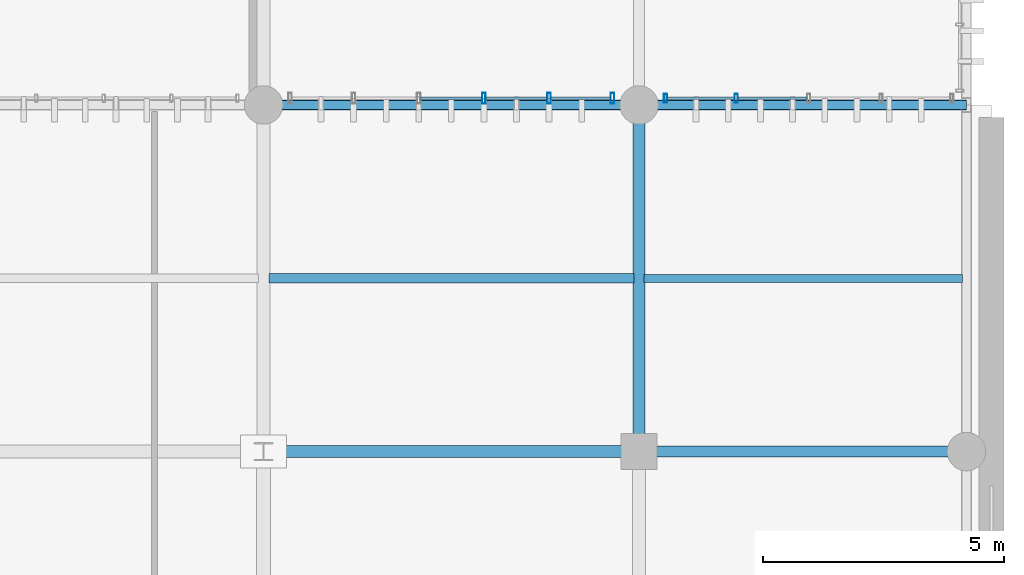
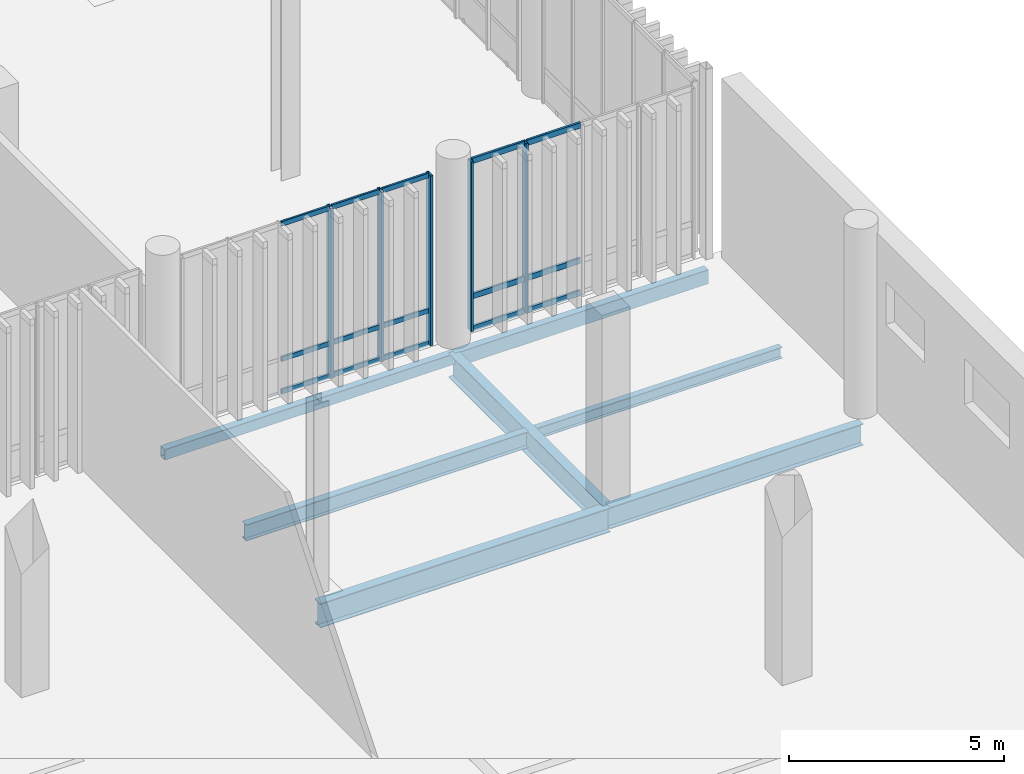
# One storey, part 59 of 112: 20 members, 7 beams, 2 elements without a shape of their own.
"""IFC4 building model written with IfcOpenShell, lengths in metres."""

from ifc_helpers import new_model, si_unit, direction, frame, origin_with_axes, origin_2d_with_axis, place, context, subcontext, project, spatial, hollow_rectangle, i_section, extrude, material, material_profile, profile_set, type_object, element, aggregate, save


model = new_model("IFC4")

# Units and contexts
model_context = context("Model", 3, precision=1e-05, world=origin_with_axes(), true_north=direction((0.0, 1.0)))
body_context = subcontext(model_context, "Body", "Model", "MODEL_VIEW")
ifc_project = project(units=[si_unit("LENGTHUNIT", "METRE"), si_unit("AREAUNIT", "SQUARE_METRE"), si_unit("VOLUMEUNIT", "CUBIC_METRE"), si_unit("PLANEANGLEUNIT", "RADIAN"), si_unit("MASSUNIT", "GRAM", prefix="KILO"), si_unit("THERMODYNAMICTEMPERATUREUNIT", "KELVIN")], contexts=[model_context])

# Site, building, storey
site_placement = place(None, origin_with_axes())
site = spatial("IfcSite", under=ifc_project, at=site_placement, CompositionType="ELEMENT")
building_placement = place(site_placement, origin_with_axes())
building = spatial("IfcBuilding", under=site, at=building_placement, Name="Montbau Bow Law Courts", CompositionType="ELEMENT")
storey_placement = place(building_placement, origin_with_axes())
storey = spatial("IfcBuildingStorey", under=building, at=storey_placement, Name="L00", CompositionType="ELEMENT", Elevation=0.0)

# Beams
ifc_material_1 = material(Name="Steel CSA G40.21 Grade 350W (350 MPa)", Category="steel")
ifc_material_profile_1 = material_profile(ifc_material_1, i_section(OverallWidth=0.254, OverallDepth=0.688, WebThickness=0.0131, FlangeThickness=0.0211, at=origin_2d_with_axis()), Name="W690X152", Category="Main", Priority=0)
ifc_profile_set_1 = profile_set([ifc_material_profile_1], Name="Steel CSA G40.21 Grade 350W (350 MPa)")
beam_type_1 = type_object("IfcBeamType", Name="B-FLR-04", PredefinedType="BEAM", material=ifc_profile_set_1)
beam_1_placement = place(None, frame((154.8, 54.6, -0.684), z_axis=(1.0, 0.0, 0.0), x_axis=(0.0, 1.0, 0.0)))
element("IfcBeam", 1, at=beam_1_placement, inside=storey, type_object=beam_type_1, Name="BM-L00-S0358:bm2_0361", PredefinedType="BEAM", context=body_context, shape_type="SweptSolid", body=[
    extrude(i_section(OverallWidth=0.254, OverallDepth=0.688, WebThickness=0.0131, FlangeThickness=0.0211, at=origin_2d_with_axis()), origin_with_axes(), (0.0, 0.0, 1.0), 7.8),
])
beam_2_placement = place(None, frame((162.6, 54.6, -0.684), z_axis=(0.0, 1.0, 0.0), x_axis=(-1.0, 0.0, 0.0)))
element("IfcBeam", 2, at=beam_2_placement, inside=storey, type_object=beam_type_1, Name="BM-L00-S0395:bm2_0398", PredefinedType="BEAM", context=body_context, shape_type="SweptSolid", body=[
    extrude(i_section(OverallWidth=0.254, OverallDepth=0.688, WebThickness=0.0131, FlangeThickness=0.0211, at=origin_2d_with_axis()), origin_with_axes(), (0.0, 0.0, 1.0), 7.2),
])
ifc_material_profile_2 = material_profile(ifc_material_1, i_section(OverallWidth=0.229, OverallDepth=0.612, WebThickness=0.0119, FlangeThickness=0.0196, at=origin_2d_with_axis()), Name="W610X125", Category="Main", Priority=0)
ifc_profile_set_2 = profile_set([ifc_material_profile_2], Name="Steel CSA G40.21 Grade 350W (350 MPa)")
beam_type_2 = type_object("IfcBeamType", Name="B-FLR-05", PredefinedType="BEAM", material=ifc_profile_set_2)
beam_3_placement = place(None, frame((162.6, 54.6, -0.646), z_axis=(1.0, 0.0, 0.0), x_axis=(0.0, 1.0, 0.0)))
element("IfcBeam", 3, at=beam_3_placement, inside=storey, type_object=beam_type_2, Name="BM-L00-S0359:bm2_0362", PredefinedType="BEAM", context=body_context, shape_type="SweptSolid", body=[
    extrude(i_section(OverallWidth=0.229, OverallDepth=0.612, WebThickness=0.0119, FlangeThickness=0.0196, at=origin_2d_with_axis()), origin_with_axes(), (0.0, 0.0, 1.0), 6.8),
])
ifc_material_profile_3 = material_profile(ifc_material_1, i_section(OverallWidth=0.191, OverallDepth=0.46, WebThickness=0.0099, FlangeThickness=0.016, at=origin_2d_with_axis()), Name="W460X82", Category="Main", Priority=0)
ifc_profile_set_3 = profile_set([ifc_material_profile_3], Name="Steel CSA G40.21 Grade 350W (350 MPa)")
beam_type_3 = type_object("IfcBeamType", Name="B-JST-01", PredefinedType="JOIST", material=ifc_profile_set_3)
beam_4_placement = place(None, frame((154.91, 58.2, -0.57), z_axis=(1.0, 0.0, 0.0), x_axis=(0.0, 1.0, 0.0)))
element("IfcBeam", 4, at=beam_4_placement, inside=storey, type_object=beam_type_3, Name="JST-L00-S0168:jst2_0168", PredefinedType="JOIST", context=body_context, shape_type="SweptSolid", body=[
    extrude(i_section(OverallWidth=0.191, OverallDepth=0.46, WebThickness=0.0099, FlangeThickness=0.016, at=origin_2d_with_axis()), origin_with_axes(), (0.0, 0.0, 1.0), 7.587),
])
ifc_material_profile_4 = material_profile(ifc_material_1, i_section(OverallWidth=0.166, OverallDepth=0.313, WebThickness=0.0066, FlangeThickness=0.0112, at=origin_2d_with_axis()), Name="W310X45", Category="Main", Priority=0)
ifc_profile_set_4 = profile_set([ifc_material_profile_4], Name="Steel CSA G40.21 Grade 350W (350 MPa)")
beam_type_4 = type_object("IfcBeamType", Name="B-JST-04", PredefinedType="JOIST", material=ifc_profile_set_4)
beam_5_placement = place(None, frame((162.703, 58.2, -0.497), z_axis=(1.0, 0.0, 0.0), x_axis=(0.0, 1.0, 0.0)))
element("IfcBeam", 5, at=beam_5_placement, inside=storey, type_object=beam_type_4, Name="JST-L00-S0179:jst2_0179", PredefinedType="JOIST", context=body_context, shape_type="SweptSolid", body=[
    extrude(i_section(OverallWidth=0.166, OverallDepth=0.313, WebThickness=0.0066, FlangeThickness=0.0112, at=origin_2d_with_axis()), origin_with_axes(), (0.0, 0.0, 1.0), 6.617),
])
ifc_material_2 = material(Name="Steel CSA G40.21 Grade 350WT (350 MPa)", Category="steel")
ifc_material_profile_5 = material_profile(ifc_material_2, hollow_rectangle(XDim=0.203, YDim=0.406, WallThickness=0.0127, InnerFilletRadius=0.0254, OuterFilletRadius=0.0127, at=origin_2d_with_axis()), Name="HSS406X203X13", Category="Main", Priority=0)
ifc_profile_set_5 = profile_set([ifc_material_profile_5], Name="Steel CSA G40.21 Grade 350WT (350 MPa)")
beam_type_5 = type_object("IfcBeamType", Name="B-SPN-01", PredefinedType="SPANDREL", material=ifc_profile_set_5)
beam_6_placement = place(None, frame((162.6, 61.8, -0.543), z_axis=(1.0, 0.0, 0.0), x_axis=(0.0, 1.0, 0.0)))
element("IfcBeam", 6, at=beam_6_placement, inside=storey, type_object=beam_type_5, Name="SPN-L00-S0365:bm2_0368", PredefinedType="SPANDREL", context=body_context, shape_type="SweptSolid", body=[
    extrude(hollow_rectangle(XDim=0.203, YDim=0.406, WallThickness=0.0127, InnerFilletRadius=0.0254, OuterFilletRadius=0.0127, at=origin_2d_with_axis()), origin_with_axes(), (0.0, 0.0, 1.0), 6.8),
])
ifc_material_profile_6 = material_profile(ifc_material_2, hollow_rectangle(XDim=0.203, YDim=0.305, WallThickness=0.0127, InnerFilletRadius=0.0254, OuterFilletRadius=0.0127, at=origin_2d_with_axis()), Name="HSS305X203X13", Category="Main", Priority=0)
ifc_profile_set_6 = profile_set([ifc_material_profile_6], Name="Steel CSA G40.21 Grade 350WT (350 MPa)")
beam_type_6 = type_object("IfcBeamType", Name="B-SPN-02", PredefinedType="SPANDREL", material=ifc_profile_set_6)
beam_7_placement = place(None, frame((154.8, 61.8, -0.493), z_axis=(1.0, 0.0, 0.0), x_axis=(0.0, 1.0, 0.0)))
element("IfcBeam", 7, at=beam_7_placement, inside=storey, type_object=beam_type_6, Name="SPN-L00-S0364:bm2_0367", PredefinedType="SPANDREL", context=body_context, shape_type="SweptSolid", body=[
    extrude(hollow_rectangle(XDim=0.203, YDim=0.305, WallThickness=0.0127, InnerFilletRadius=0.0254, OuterFilletRadius=0.0127, at=origin_2d_with_axis()), origin_with_axes(), (0.0, 0.0, 1.0), 7.8),
])

# Curtain wall, members
ifc_material_3 = material(Name="Thermally Broken Extruded Aluminium AA 6063-T6", Category="aluminium")
curtain_wall_type = type_object("IfcCurtainWallType", Name="CW-SLT-01", PredefinedType="NOTDEFINED", material=ifc_material_3)
curtain_wall_1_placement = place(None, frame((155.315, 61.94, 0.0), z_axis=(0.0, 0.0, 1.0), x_axis=(1.0, 0.0, 0.0)))
curtain_wall_1 = element("IfcCurtainWall", 8, at=curtain_wall_1_placement, inside=storey, type_object=curtain_wall_type, Name="CW-L00-261:cw_0261", PredefinedType="NOTDEFINED")
ifc_material_profile_7 = material_profile(ifc_material_3, hollow_rectangle(XDim=0.075, YDim=0.22, WallThickness=0.005, InnerFilletRadius=0.01, OuterFilletRadius=0.005, at=origin_2d_with_axis()), Name="CWM-220X75", Category="Main", Priority=0)
ifc_profile_set_7 = profile_set([ifc_material_profile_7], Name="Thermally Broken Extruded Aluminium AA 6063-T6")
member_type_1 = type_object("IfcMemberType", Name="M-MUL-01", PredefinedType="MULLION", material=ifc_profile_set_7)
member_1_placement = place(None, frame((159.377, 61.94, 0.0), z_axis=(0.0, 0.0, 1.0), x_axis=(1.0, 0.0, 0.0)))
member_1 = element("IfcMember", 9, at=member_1_placement, type_object=member_type_1, Name="CW-L00-261-M04:cw_0261_M04", PredefinedType="MULLION", context=body_context, shape_type="SweptSolid", body=[
    extrude(hollow_rectangle(XDim=0.075, YDim=0.22, WallThickness=0.005, InnerFilletRadius=0.01, OuterFilletRadius=0.005, at=origin_2d_with_axis()), origin_with_axes(), (0.0, 0.0, 1.0), 4.82),
])
member_2_placement = place(None, frame((160.731, 61.94, 0.0), z_axis=(0.0, 0.0, 1.0), x_axis=(1.0, 0.0, 0.0)))
member_2 = element("IfcMember", 10, at=member_2_placement, type_object=member_type_1, Name="CW-L00-261-M05:cw_0261_M05", PredefinedType="MULLION", context=body_context, shape_type="SweptSolid", body=[
    extrude(hollow_rectangle(XDim=0.075, YDim=0.22, WallThickness=0.005, InnerFilletRadius=0.01, OuterFilletRadius=0.005, at=origin_2d_with_axis()), origin_with_axes(), (0.0, 0.0, 1.0), 4.82),
])
member_3_placement = place(None, frame((162.048, 61.94, 0.0), z_axis=(0.0, 0.0, 1.0), x_axis=(1.0, 0.0, 0.0)))
member_3 = element("IfcMember", 11, at=member_3_placement, type_object=member_type_1, Name="CW-L00-261-M06:cw_0261_M06", PredefinedType="MULLION", context=body_context, shape_type="SweptSolid", body=[
    extrude(hollow_rectangle(XDim=0.075, YDim=0.22, WallThickness=0.005, InnerFilletRadius=0.01, OuterFilletRadius=0.005, at=origin_2d_with_axis()), origin_with_axes(), (0.0, 0.0, 1.0), 4.82),
])

curtain_wall_2_placement = place(None, frame((163.115, 61.94, 0.0), z_axis=(0.0, 0.0, 1.0), x_axis=(1.0, 0.0, 0.0)))
curtain_wall_2 = element("IfcCurtainWall", 12, at=curtain_wall_2_placement, inside=storey, type_object=curtain_wall_type, Name="CW-L00-262:cw_0262", PredefinedType="NOTDEFINED")
ifc_material_profile_8 = material_profile(ifc_material_3, hollow_rectangle(XDim=0.065, YDim=0.18, WallThickness=0.005, InnerFilletRadius=0.01, OuterFilletRadius=0.005, at=origin_2d_with_axis()), Name="CWM-180X65", Category="Main", Priority=0)
ifc_profile_set_8 = profile_set([ifc_material_profile_8], Name="Thermally Broken Extruded Aluminium AA 6063-T6")
member_type_2 = type_object("IfcMemberType", Name="M-MUL-02", PredefinedType="MULLION", material=ifc_profile_set_8)
member_4_placement = place(None, frame((163.148, 61.94, 0.0), z_axis=(0.0, 0.0, 1.0), x_axis=(1.0, 0.0, 0.0)))
member_4 = element("IfcMember", 13, at=member_4_placement, type_object=member_type_2, Name="CW-L00-262-M01:cw_0262_M01", PredefinedType="MULLION", context=body_context, shape_type="SweptSolid", body=[
    extrude(hollow_rectangle(XDim=0.065, YDim=0.18, WallThickness=0.005, InnerFilletRadius=0.01, OuterFilletRadius=0.005, at=origin_2d_with_axis()), origin_with_axes(), (0.0, 0.0, 1.0), 4.82),
])
member_5_placement = place(None, frame((164.619, 61.94, 0.0), z_axis=(0.0, 0.0, 1.0), x_axis=(1.0, 0.0, 0.0)))
member_5 = element("IfcMember", 14, at=member_5_placement, type_object=member_type_2, Name="CW-L00-262-M02:cw_0262_M02", PredefinedType="MULLION", context=body_context, shape_type="SweptSolid", body=[
    extrude(hollow_rectangle(XDim=0.065, YDim=0.18, WallThickness=0.005, InnerFilletRadius=0.01, OuterFilletRadius=0.005, at=origin_2d_with_axis()), origin_with_axes(), (0.0, 0.0, 1.0), 4.82),
])
ifc_material_profile_9 = material_profile(ifc_material_3, hollow_rectangle(XDim=0.06, YDim=0.16, WallThickness=0.004, InnerFilletRadius=0.008, OuterFilletRadius=0.004, at=origin_2d_with_axis()), Name="CWT-160X60", Category="Main", Priority=0)
ifc_profile_set_9 = profile_set([ifc_material_profile_9], Name="Thermally Broken Extruded Aluminium AA 6063-T6")
member_type_3 = type_object("IfcMemberType", Name="M-TRN-01", PredefinedType="USERDEFINED", material=ifc_profile_set_9)
member_6_placement = place(None, frame((163.183, 61.94, 0.03), z_axis=(1.0, 0.0, 0.0), x_axis=(0.0, 1.0, 0.0)))
member_6 = element("IfcMember", 15, at=member_6_placement, type_object=member_type_3, Name="CW-L00-262-T01-1:cw_0262_T01_1", ObjectType="TRANSOM", PredefinedType="USERDEFINED", context=body_context, shape_type="SweptSolid", body=[
    extrude(hollow_rectangle(XDim=0.06, YDim=0.16, WallThickness=0.004, InnerFilletRadius=0.008, OuterFilletRadius=0.004, at=origin_2d_with_axis()), origin_with_axes(), (0.0, 0.0, 1.0), 1.402),
])
member_7_placement = place(None, frame((163.183, 61.94, 0.95), z_axis=(1.0, 0.0, 0.0), x_axis=(0.0, 1.0, 0.0)))
member_7 = element("IfcMember", 16, at=member_7_placement, type_object=member_type_3, Name="CW-L00-262-T01-2:cw_0262_T01_2", ObjectType="TRANSOM", PredefinedType="USERDEFINED", context=body_context, shape_type="SweptSolid", body=[
    extrude(hollow_rectangle(XDim=0.06, YDim=0.16, WallThickness=0.004, InnerFilletRadius=0.008, OuterFilletRadius=0.004, at=origin_2d_with_axis()), origin_with_axes(), (0.0, 0.0, 1.0), 1.402),
])
member_8_placement = place(None, frame((163.183, 61.94, 4.79), z_axis=(1.0, 0.0, 0.0), x_axis=(0.0, 1.0, 0.0)))
member_8 = element("IfcMember", 17, at=member_8_placement, type_object=member_type_3, Name="CW-L00-262-T01-3:cw_0262_T01_3", ObjectType="TRANSOM", PredefinedType="USERDEFINED", context=body_context, shape_type="SweptSolid", body=[
    extrude(hollow_rectangle(XDim=0.06, YDim=0.16, WallThickness=0.004, InnerFilletRadius=0.008, OuterFilletRadius=0.004, at=origin_2d_with_axis()), origin_with_axes(), (0.0, 0.0, 1.0), 1.402),
])
member_9_placement = place(None, frame((164.653, 61.94, 0.03), z_axis=(1.0, 0.0, 0.0), x_axis=(0.0, 1.0, 0.0)))
member_9 = element("IfcMember", 18, at=member_9_placement, type_object=member_type_3, Name="CW-L00-262-T02-1:cw_0262_T02_1", ObjectType="TRANSOM", PredefinedType="USERDEFINED", context=body_context, shape_type="SweptSolid", body=[
    extrude(hollow_rectangle(XDim=0.06, YDim=0.16, WallThickness=0.004, InnerFilletRadius=0.008, OuterFilletRadius=0.004, at=origin_2d_with_axis()), origin_with_axes(), (0.0, 0.0, 1.0), 1.436),
])
member_10_placement = place(None, frame((164.653, 61.94, 0.95), z_axis=(1.0, 0.0, 0.0), x_axis=(0.0, 1.0, 0.0)))
member_10 = element("IfcMember", 19, at=member_10_placement, type_object=member_type_3, Name="CW-L00-262-T02-2:cw_0262_T02_2", ObjectType="TRANSOM", PredefinedType="USERDEFINED", context=body_context, shape_type="SweptSolid", body=[
    extrude(hollow_rectangle(XDim=0.06, YDim=0.16, WallThickness=0.004, InnerFilletRadius=0.008, OuterFilletRadius=0.004, at=origin_2d_with_axis()), origin_with_axes(), (0.0, 0.0, 1.0), 1.436),
])
member_11_placement = place(None, frame((164.653, 61.94, 4.79), z_axis=(1.0, 0.0, 0.0), x_axis=(0.0, 1.0, 0.0)))
member_11 = element("IfcMember", 20, at=member_11_placement, type_object=member_type_3, Name="CW-L00-262-T02-3:cw_0262_T02_3", ObjectType="TRANSOM", PredefinedType="USERDEFINED", context=body_context, shape_type="SweptSolid", body=[
    extrude(hollow_rectangle(XDim=0.06, YDim=0.16, WallThickness=0.004, InnerFilletRadius=0.008, OuterFilletRadius=0.004, at=origin_2d_with_axis()), origin_with_axes(), (0.0, 0.0, 1.0), 1.436),
])
aggregate(curtain_wall_2, [member_4, member_5, member_6, member_7, member_8, member_9, member_10, member_11])

# Member
ifc_material_profile_10 = material_profile(ifc_material_3, hollow_rectangle(XDim=0.055, YDim=0.14, WallThickness=0.004, InnerFilletRadius=0.008, OuterFilletRadius=0.004, at=origin_2d_with_axis()), Name="CWT-140X55", Category="Main", Priority=0)
ifc_profile_set_10 = profile_set([ifc_material_profile_10], Name="Thermally Broken Extruded Aluminium AA 6063-T6")
member_type_4 = type_object("IfcMemberType", Name="M-TRN-02", PredefinedType="USERDEFINED", material=ifc_profile_set_10)
member_12_placement = place(None, frame((158.063, 61.94, 0.028), z_axis=(1.0, 0.0, 0.0), x_axis=(0.0, 1.0, 0.0)))
member_12 = element("IfcMember", 21, at=member_12_placement, type_object=member_type_4, Name="CW-L00-261-T03-1:cw_0261_T03_1", ObjectType="TRANSOM", PredefinedType="USERDEFINED", context=body_context, shape_type="SweptSolid", body=[
    extrude(hollow_rectangle(XDim=0.055, YDim=0.14, WallThickness=0.004, InnerFilletRadius=0.008, OuterFilletRadius=0.004, at=origin_2d_with_axis()), origin_with_axes(), (0.0, 0.0, 1.0), 1.275),
])

member_13_placement = place(None, frame((158.063, 61.94, 0.95), z_axis=(1.0, 0.0, 0.0), x_axis=(0.0, 1.0, 0.0)))
member_13 = element("IfcMember", 22, at=member_13_placement, type_object=member_type_4, Name="CW-L00-261-T03-2:cw_0261_T03_2", ObjectType="TRANSOM", PredefinedType="USERDEFINED", context=body_context, shape_type="SweptSolid", body=[
    extrude(hollow_rectangle(XDim=0.055, YDim=0.14, WallThickness=0.004, InnerFilletRadius=0.008, OuterFilletRadius=0.004, at=origin_2d_with_axis()), origin_with_axes(), (0.0, 0.0, 1.0), 1.275),
])

member_14_placement = place(None, frame((158.063, 61.94, 4.793), z_axis=(1.0, 0.0, 0.0), x_axis=(0.0, 1.0, 0.0)))
member_14 = element("IfcMember", 23, at=member_14_placement, type_object=member_type_4, Name="CW-L00-261-T03-3:cw_0261_T03_3", ObjectType="TRANSOM", PredefinedType="USERDEFINED", context=body_context, shape_type="SweptSolid", body=[
    extrude(hollow_rectangle(XDim=0.055, YDim=0.14, WallThickness=0.004, InnerFilletRadius=0.008, OuterFilletRadius=0.004, at=origin_2d_with_axis()), origin_with_axes(), (0.0, 0.0, 1.0), 1.275),
])

member_15_placement = place(None, frame((159.416, 61.94, 0.028), z_axis=(1.0, 0.0, 0.0), x_axis=(0.0, 1.0, 0.0)))
member_15 = element("IfcMember", 24, at=member_15_placement, type_object=member_type_4, Name="CW-L00-261-T04-1:cw_0261_T04_1", ObjectType="TRANSOM", PredefinedType="USERDEFINED", context=body_context, shape_type="SweptSolid", body=[
    extrude(hollow_rectangle(XDim=0.055, YDim=0.14, WallThickness=0.004, InnerFilletRadius=0.008, OuterFilletRadius=0.004, at=origin_2d_with_axis()), origin_with_axes(), (0.0, 0.0, 1.0), 1.276),
])

member_16_placement = place(None, frame((159.416, 61.94, 0.95), z_axis=(1.0, 0.0, 0.0), x_axis=(0.0, 1.0, 0.0)))
member_16 = element("IfcMember", 25, at=member_16_placement, type_object=member_type_4, Name="CW-L00-261-T04-2:cw_0261_T04_2", ObjectType="TRANSOM", PredefinedType="USERDEFINED", context=body_context, shape_type="SweptSolid", body=[
    extrude(hollow_rectangle(XDim=0.055, YDim=0.14, WallThickness=0.004, InnerFilletRadius=0.008, OuterFilletRadius=0.004, at=origin_2d_with_axis()), origin_with_axes(), (0.0, 0.0, 1.0), 1.276),
])

member_17_placement = place(None, frame((159.416, 61.94, 4.793), z_axis=(1.0, 0.0, 0.0), x_axis=(0.0, 1.0, 0.0)))
member_17 = element("IfcMember", 26, at=member_17_placement, type_object=member_type_4, Name="CW-L00-261-T04-3:cw_0261_T04_3", ObjectType="TRANSOM", PredefinedType="USERDEFINED", context=body_context, shape_type="SweptSolid", body=[
    extrude(hollow_rectangle(XDim=0.055, YDim=0.14, WallThickness=0.004, InnerFilletRadius=0.008, OuterFilletRadius=0.004, at=origin_2d_with_axis()), origin_with_axes(), (0.0, 0.0, 1.0), 1.276),
])

member_18_placement = place(None, frame((160.77, 61.94, 0.028), z_axis=(1.0, 0.0, 0.0), x_axis=(0.0, 1.0, 0.0)))
member_18 = element("IfcMember", 27, at=member_18_placement, type_object=member_type_4, Name="CW-L00-261-T05-1:cw_0261_T05_1", ObjectType="TRANSOM", PredefinedType="USERDEFINED", context=body_context, shape_type="SweptSolid", body=[
    extrude(hollow_rectangle(XDim=0.055, YDim=0.14, WallThickness=0.004, InnerFilletRadius=0.008, OuterFilletRadius=0.004, at=origin_2d_with_axis()), origin_with_axes(), (0.0, 0.0, 1.0), 1.239),
])

member_19_placement = place(None, frame((160.77, 61.94, 0.95), z_axis=(1.0, 0.0, 0.0), x_axis=(0.0, 1.0, 0.0)))
member_19 = element("IfcMember", 28, at=member_19_placement, type_object=member_type_4, Name="CW-L00-261-T05-2:cw_0261_T05_2", ObjectType="TRANSOM", PredefinedType="USERDEFINED", context=body_context, shape_type="SweptSolid", body=[
    extrude(hollow_rectangle(XDim=0.055, YDim=0.14, WallThickness=0.004, InnerFilletRadius=0.008, OuterFilletRadius=0.004, at=origin_2d_with_axis()), origin_with_axes(), (0.0, 0.0, 1.0), 1.239),
])

member_20_placement = place(None, frame((160.77, 61.94, 4.793), z_axis=(1.0, 0.0, 0.0), x_axis=(0.0, 1.0, 0.0)))
member_20 = element("IfcMember", 29, at=member_20_placement, type_object=member_type_4, Name="CW-L00-261-T05-3:cw_0261_T05_3", ObjectType="TRANSOM", PredefinedType="USERDEFINED", context=body_context, shape_type="SweptSolid", body=[
    extrude(hollow_rectangle(XDim=0.055, YDim=0.14, WallThickness=0.004, InnerFilletRadius=0.008, OuterFilletRadius=0.004, at=origin_2d_with_axis()), origin_with_axes(), (0.0, 0.0, 1.0), 1.239),
])

aggregate(curtain_wall_1, [member_1, member_2, member_3, member_12, member_13, member_14, member_15, member_16, member_17, member_18, member_19, member_20])

save(model, "model.ifc")
